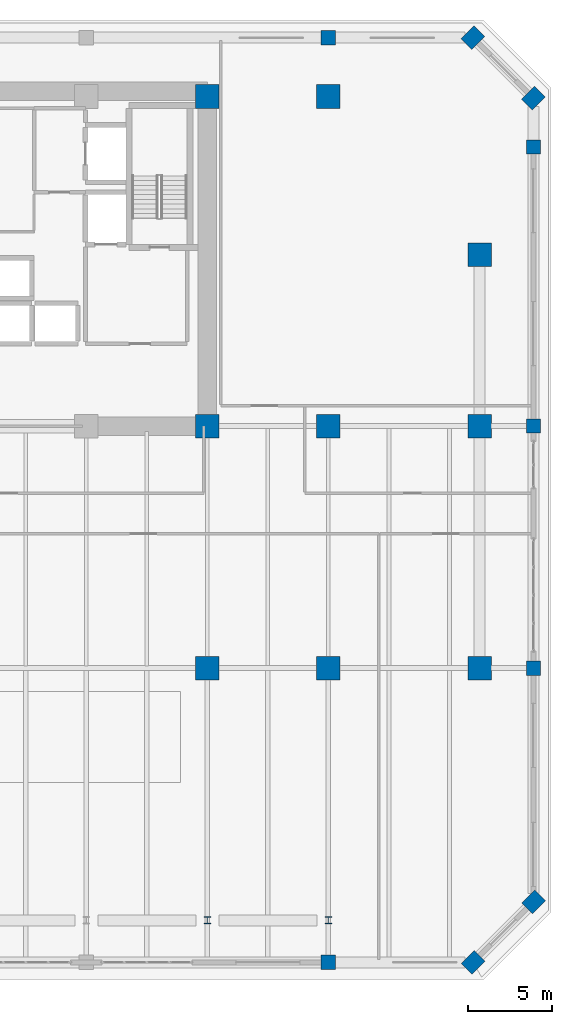
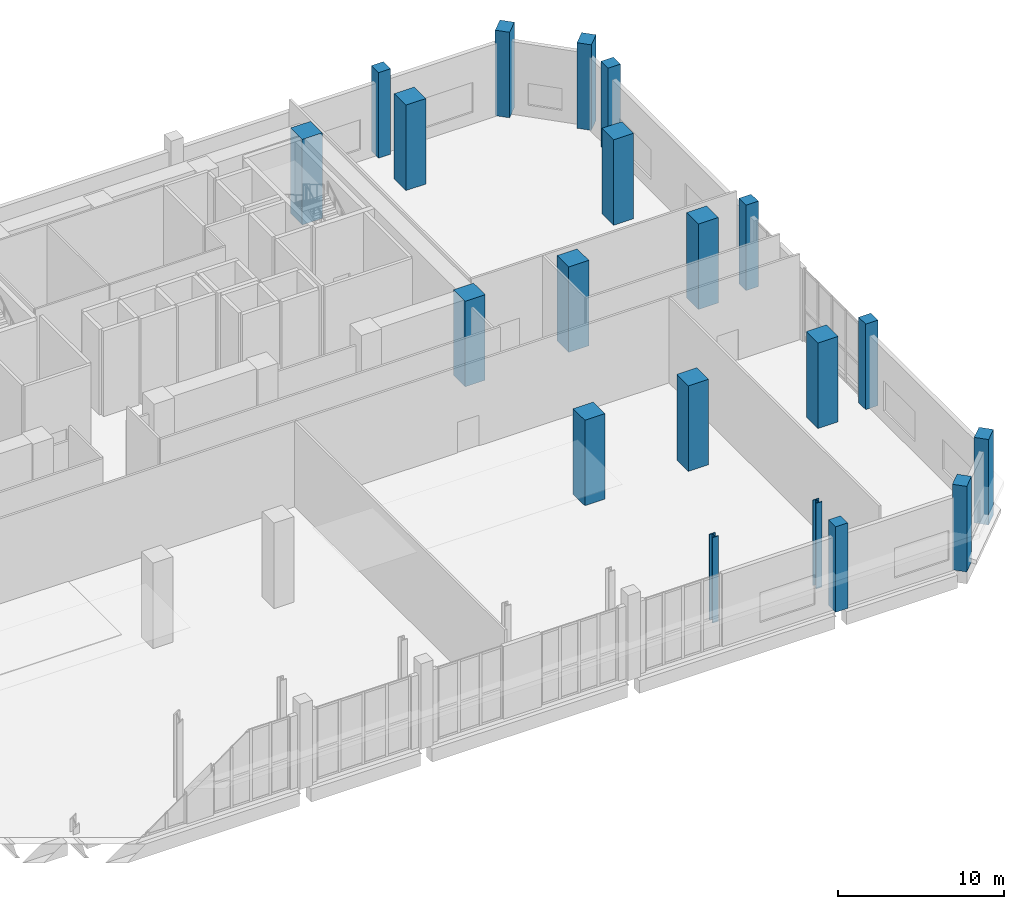
# One storey, part 3 of 29: 20 columns.
"""IFC4 building model written with IfcOpenShell, lengths in metres."""

from ifc_helpers import new_model, si_unit, direction, frame, origin, origin_2d, place, context, subcontext, project, spatial, rectangle, i_section, extrude, material, material_profile, profile_set, type_object, element, save


model = new_model("IFC4")

# Units and contexts
model_context = context("Model", 3, precision=1e-05, world=origin(), true_north=direction((0.0, 1.0)))
body_context = subcontext(model_context, "Body", "Model", "MODEL_VIEW")
ifc_project = project(units=[si_unit("LENGTHUNIT", "METRE"), si_unit("AREAUNIT", "SQUARE_METRE"), si_unit("VOLUMEUNIT", "CUBIC_METRE"), si_unit("PLANEANGLEUNIT", "RADIAN"), si_unit("MASSUNIT", "GRAM", prefix="KILO")], contexts=[model_context])

# Site, building, storey
site_placement = place(None, origin())
site = spatial("IfcSite", under=ifc_project, at=site_placement, CompositionType="ELEMENT")
building_placement = place(site_placement, origin())
building = spatial("IfcBuilding", under=site, at=building_placement, Name="Kaelvorn Grand Hotel", CompositionType="ELEMENT")
storey_placement = place(building_placement, frame((0.0, 0.0, 19.39990234375)))
storey = spatial("IfcBuildingStorey", under=building, at=storey_placement, Name="L03", CompositionType="ELEMENT", Elevation=19.39990234375)

# Columns
ifc_material_1 = material(Name="Concrete C80/95", Category="concrete")
ifc_material_profile_1 = material_profile(ifc_material_1, rectangle(XDim=1.10009765625, YDim=0.89990234375, at=origin_2d()), Name="RC PILASTER 1100x900")
ifc_profile_set_1 = profile_set([ifc_material_profile_1], Name="Concrete C80/95")
column_type_1 = type_object("IfcColumnType", Name="COL-PIL-1100x900-C80", PredefinedType="PILASTER", material=ifc_profile_set_1)
for number, where, z_axis, x_axis, name in (
    (1, (83.60009765625, -2.5, 0.0), (0.0, 0.0, 1.0), (0.707106781187, 0.707106781187, 0.0), "L03 Structural Column PDCH-02"),
    (2, (87.199951171875, 1.10009765625, 0.0), (0.0, 0.0, 1.0), (0.707106781187, 0.707106781187, 0.0), "L03 Structural Column PDCH-03"),
    (3, (87.199951171875, 48.89990234375, 0.0), (0.0, 0.0, 1.0), (0.707106781187, 0.707106781187, 0.0), "L03 Structural Column PDCH-04"),
    (4, (83.60009765625, 52.5, 0.0), (0.0, 0.0, 1.0), (0.707106781187, 0.707106781187, 0.0), "L03 Structural Column PDCH-05"),
):
    element("IfcColumn", number, at=place(storey_placement, frame(where, z_axis=z_axis, x_axis=x_axis)), inside=storey, type_object=column_type_1, Name=name, PredefinedType="PILASTER", context=body_context, shape_type="SweptSolid", body=[
        extrude(rectangle(XDim=1.10009765625, YDim=0.89990234375, at=origin_2d()), origin(), (0.0, 0.0, 1.0), 6.280029296875),
    ])
ifc_material_profile_2 = material_profile(ifc_material_1, rectangle(XDim=1.39990234375, YDim=1.39990234375, at=origin_2d()), Name="RC COL 1400x1400")
ifc_profile_set_2 = profile_set([ifc_material_profile_2], Name="Concrete C80/95")
column_type_2 = type_object("IfcColumnType", Name="COL-RC-1400-C80", PredefinedType="COLUMN", material=ifc_profile_set_2)
for number, where, z_axis, x_axis, name in (
    (5, (67.800048828125, 29.39990234375, 0.0), (0.0, 0.0, 1.0), (1.0, 0.0, 0.0), "L03 Structural Column TC-09"),
    (6, (67.800048828125, 49.0, 0.0), (0.0, 0.0, 1.0), (1.0, 0.0, 0.0), "L03 Structural Column TN-09"),
    (7, (75.0, 29.39990234375, 0.0), (0.0, 0.0, 1.0), (1.0, 0.0, 0.0), "L03 Structural Column TC-10"),
    (8, (75.0, 49.0, 0.0), (0.0, 0.0, 1.0), (1.0, 0.0, 0.0), "L03 Structural Column TN-10"),
    (9, (75.0, 15.0, 0.0), (0.0, 0.0, 1.0), (1.0, 0.0, 0.0), "L03 Structural Column TM-04"),
    (10, (67.800048828125, 15.0, 0.0), (0.0, 0.0, 1.0), (1.0, 0.0, 0.0), "L03 Structural Column TMR-02"),
    (11, (84.0, 15.0, 0.0), (0.0, 0.0, 1.0), (1.0, 0.0, 0.0), "L03 Structural Column TE-01"),
    (12, (84.0, 29.39990234375, 0.0), (0.0, 0.0, 1.0), (1.0, 0.0, 0.0), "L03 Structural Column TE-02"),
    (13, (84.0, 39.60009765625, 0.0), (0.0, 0.0, 1.0), (1.0, 0.0, 0.0), "L03 Structural Column TE-03"),
):
    element("IfcColumn", number, at=place(storey_placement, frame(where, z_axis=z_axis, x_axis=x_axis)), inside=storey, type_object=column_type_2, Name=name, PredefinedType="COLUMN", context=body_context, shape_type="SweptSolid", body=[
        extrude(rectangle(XDim=1.39990234375, YDim=1.39990234375, at=origin_2d()), origin(), (0.0, 0.0, 1.0), 6.280029296875),
    ])
ifc_material_2 = material(Name="Concrete C50/60", Category="concrete")
ifc_material_profile_3 = material_profile(ifc_material_2, rectangle(XDim=0.85009765625, YDim=0.85009765625, at=origin_2d()), Name="RC COL 850x850")
ifc_profile_set_3 = profile_set([ifc_material_profile_3], Name="Concrete C50/60")
column_type_3 = type_object("IfcColumnType", Name="COL-RC-850-C50", PredefinedType="COLUMN", material=ifc_profile_set_3)
for number, where, z_axis, x_axis, name in (
    (14, (75.0, -2.5, 0.0), (0.0, 0.0, 1.0), (1.0, 0.0, 0.0), "L03 Structural Column PDS-06"),
    (15, (75.0, 52.5, 0.0), (0.0, 0.0, 1.0), (1.0, 0.0, 0.0), "L03 Structural Column PDN-06"),
    (16, (87.199951171875, 15.0, 0.0), (0.0, 0.0, 1.0), (1.0, 0.0, 0.0), "L03 Structural Column PDE-01"),
    (17, (87.199951171875, 29.39990234375, 0.0), (0.0, 0.0, 1.0), (1.0, 0.0, 0.0), "L03 Structural Column PDE-02"),
    (18, (87.199951171875, 46.0, 0.0), (0.0, 0.0, 1.0), (1.0, 0.0, 0.0), "L03 Structural Column PDE-03"),
):
    element("IfcColumn", number, at=place(storey_placement, frame(where, z_axis=z_axis, x_axis=x_axis)), inside=storey, type_object=column_type_3, Name=name, PredefinedType="COLUMN", context=body_context, shape_type="SweptSolid", body=[
        extrude(rectangle(XDim=0.85009765625, YDim=0.85009765625, at=origin_2d()), origin(), (0.0, 0.0, 1.0), 6.280029296875),
    ])
ifc_material_3 = material(Name="Steel S460", Category="steel")
ifc_material_profile_4 = material_profile(ifc_material_3, i_section(OverallWidth=0.412109375, OverallDepth=0.43505859375, WebThickness=0.035888671875, FlangeThickness=0.055908203125, FilletRadius=0.014892578125, at=origin_2d()), Name="HD 400x463")
ifc_profile_set_4 = profile_set([ifc_material_profile_4], Name="Steel S460")
column_type_4 = type_object("IfcColumnType", Name="COL-STL-HD400-S460", PredefinedType="COLUMN", material=ifc_profile_set_4)
for number, where, z_axis, x_axis, name in (
    (19, (67.800048828125, 0.0, 0.0), (0.0, 0.0, 1.0), (1.0, 0.0, 0.0), "L03 Structural Column TS-09"),
    (20, (75.0, 0.0, 0.0), (0.0, 0.0, 1.0), (1.0, 0.0, 0.0), "L03 Structural Column TS-10"),
):
    element("IfcColumn", number, at=place(storey_placement, frame(where, z_axis=z_axis, x_axis=x_axis)), inside=storey, type_object=column_type_4, Name=name, PredefinedType="COLUMN", context=body_context, shape_type="SweptSolid", body=[
        extrude(i_section(OverallWidth=0.412109375, OverallDepth=0.43505859375, WebThickness=0.035888671875, FlangeThickness=0.055908203125, FilletRadius=0.014892578125, at=origin_2d()), origin(), (0.0, 0.0, 1.0), 6.280029296875),
    ])

save(model, "model.ifc")
